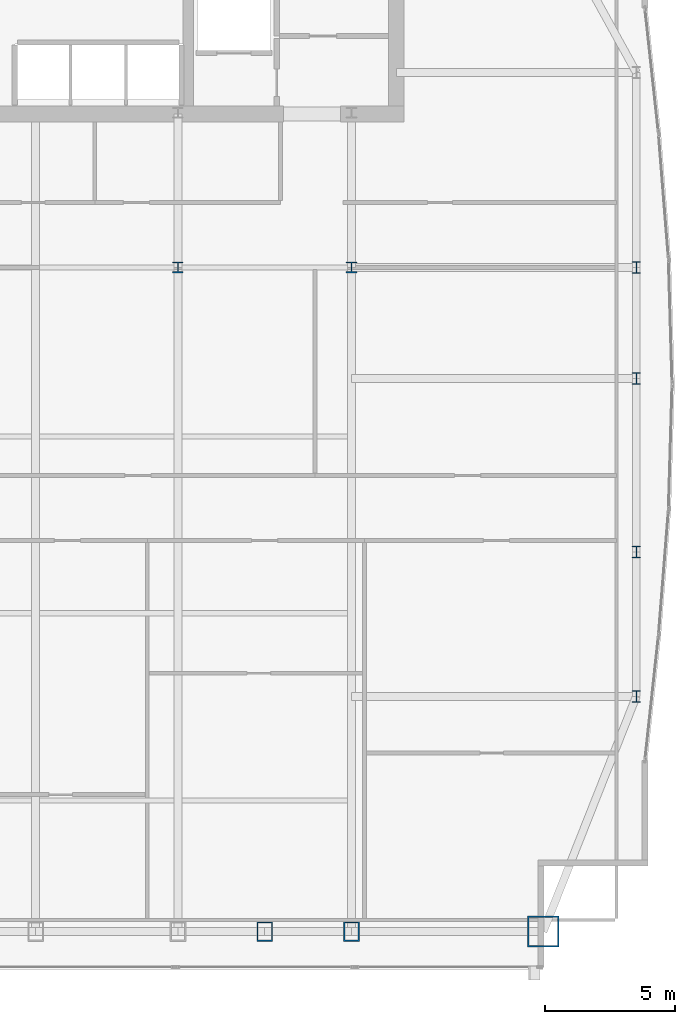
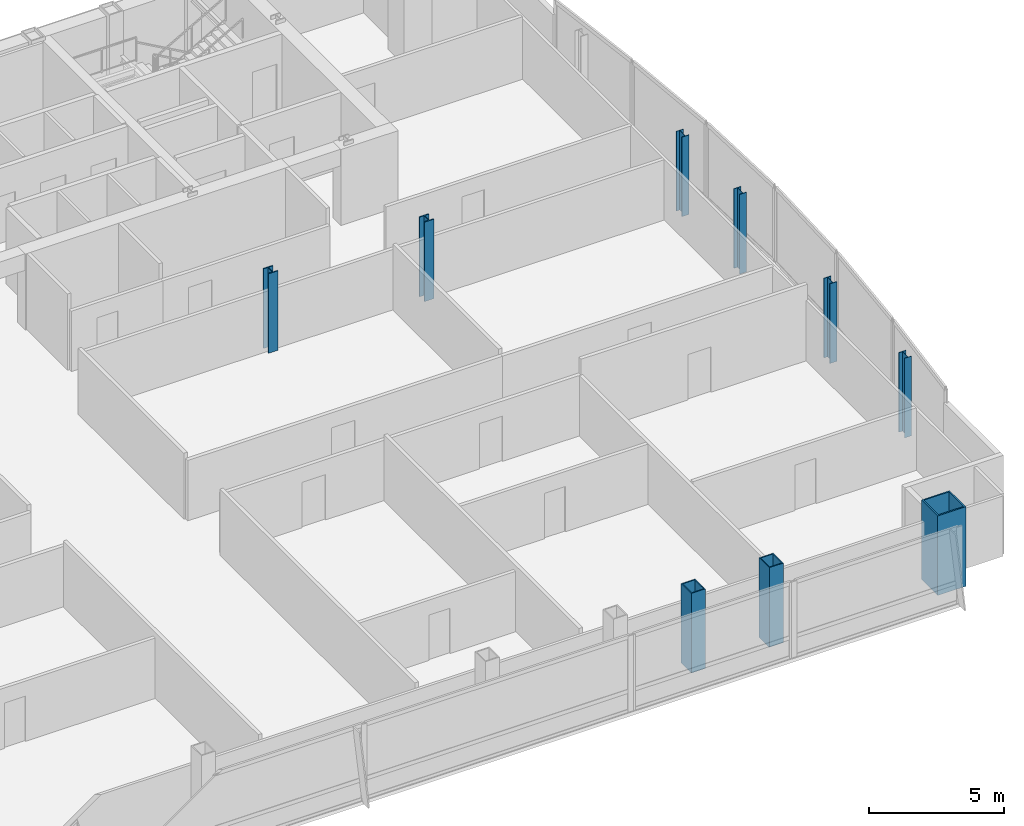
# One storey, part 2 of 32: 9 columns.
"""IFC4 building model written with IfcOpenShell, lengths in metres."""

from ifc_helpers import new_model, si_unit, direction, frame, origin, origin_2d, place, context, subcontext, project, spatial, hollow_rectangle, i_section, extrude, material, material_profile, profile_set, type_object, element, save


model = new_model("IFC4")

# Units and contexts
model_context = context("Model", 3, precision=1e-05, world=origin(), true_north=direction((0.0, 1.0)))
body_context = subcontext(model_context, "Body", "Model", "MODEL_VIEW")
ifc_project = project(units=[si_unit("LENGTHUNIT", "METRE"), si_unit("AREAUNIT", "SQUARE_METRE"), si_unit("VOLUMEUNIT", "CUBIC_METRE"), si_unit("PLANEANGLEUNIT", "RADIAN"), si_unit("MASSUNIT", "GRAM", prefix="KILO")], contexts=[model_context])

# Site, building, storey
site_placement = place(None, origin())
site = spatial("IfcSite", under=ifc_project, at=site_placement, CompositionType="ELEMENT")
building_placement = place(site_placement, origin())
building = spatial("IfcBuilding", under=site, at=building_placement, Name="Khoronbel Lancet Exchange", CompositionType="ELEMENT")
storey_placement = place(building_placement, frame((0.0, 0.0, 192.199951171875)))
storey = spatial("IfcBuildingStorey", under=building, at=storey_placement, Name="L48", CompositionType="ELEMENT", Elevation=192.199951171875)

# Columns
ifc_material_1 = material(Name="Steel S460", Category="steel")
ifc_material_profile_1 = material_profile(ifc_material_1, hollow_rectangle(XDim=0.60009765625, YDim=0.75, WallThickness=0.044921875, at=origin_2d()), Name="BOX 750x600x45")
ifc_profile_set_1 = profile_set([ifc_material_profile_1], Name="Steel S460")
column_type_1 = type_object("IfcColumnType", Name="COL-EC3", PredefinedType="COLUMN", material=ifc_profile_set_1)
for number, where, z_axis, x_axis, name in (
    (1, (51.33740234375, 10.14990234375, 0.0), (0.0, 0.0, 1.0), (1.0, 0.0, 0.0), "Structural column SC-EM L48"),
    (2, (54.675048828125, 10.14990234375, 0.0), (0.0, 0.0, 1.0), (1.0, 0.0, 0.0), "Structural column SC-E2 L48"),
):
    element("IfcColumn", number, at=place(storey_placement, frame(where, z_axis=z_axis, x_axis=x_axis)), inside=storey, type_object=column_type_1, Name=name, PredefinedType="COLUMN", context=body_context, shape_type="SweptSolid", body=[
        extrude(hollow_rectangle(XDim=0.60009765625, YDim=0.75, WallThickness=0.044921875, at=origin_2d()), origin(), (0.0, 0.0, 1.0), 3.60009765625),
    ])
ifc_material_2 = material(Name="Steel S355", Category="steel")
ifc_material_profile_2 = material_profile(ifc_material_2, i_section(OverallWidth=0.406005859375, OverallDepth=0.416015625, WebThickness=0.02978515625, FlangeThickness=0.048095703125, at=origin_2d()), Name="HD 400x382")
ifc_profile_set_2 = profile_set([ifc_material_profile_2], Name="Steel S355")
column_type_2 = type_object("IfcColumnType", Name="COL-IC3", PredefinedType="COLUMN", material=ifc_profile_set_2)
for number, where, z_axis, x_axis, name in (
    (3, (48.0, 35.699951171875, 0.0), (0.0, 0.0, 1.0), (1.0, 0.0, 0.0), "Spine gravity column TC3 L48"),
    (4, (54.675048828125, 35.699951171875, 0.0), (0.0, 0.0, 1.0), (1.0, 0.0, 0.0), "Spine gravity column TC4 L48"),
):
    element("IfcColumn", number, at=place(storey_placement, frame(where, z_axis=z_axis, x_axis=x_axis)), inside=storey, type_object=column_type_2, Name=name, PredefinedType="COLUMN", context=body_context, shape_type="SweptSolid", body=[
        extrude(i_section(OverallWidth=0.406005859375, OverallDepth=0.416015625, WebThickness=0.02978515625, FlangeThickness=0.048095703125, at=origin_2d()), origin(), (0.0, 0.0, 1.0), 3.60009765625),
    ])
ifc_material_profile_3 = material_profile(ifc_material_2, i_section(OverallWidth=0.300048828125, OverallDepth=0.449951171875, WebThickness=0.013916015625, FlangeThickness=0.02587890625, at=origin_2d()), Name="HEB 450")
ifc_profile_set_3 = profile_set([ifc_material_profile_3], Name="Steel S355")
column_type_3 = type_object("IfcColumnType", Name="COL-LC2", PredefinedType="COLUMN", material=ifc_profile_set_3)
for number, where, z_axis, x_axis, name in (
    (5, (65.6298828125, 19.199951171875, 0.0), (0.0, 0.0, 1.0), (1.0, 0.0, 0.0), "Structural column EC-1 L48"),
    (6, (65.6298828125, 24.75, 0.0), (0.0, 0.0, 1.0), (1.0, 0.0, 0.0), "Structural column EC-2 L48"),
    (7, (65.6298828125, 31.425048828125, 0.0), (0.0, 0.0, 1.0), (1.0, 0.0, 0.0), "Structural column EC-M L48"),
    (8, (65.6298828125, 35.699951171875, 0.0), (0.0, 0.0, 1.0), (1.0, 0.0, 0.0), "Structural column EC-3 L48"),
):
    element("IfcColumn", number, at=place(storey_placement, frame(where, z_axis=z_axis, x_axis=x_axis)), inside=storey, type_object=column_type_3, Name=name, PredefinedType="COLUMN", context=body_context, shape_type="SweptSolid", body=[
        extrude(i_section(OverallWidth=0.300048828125, OverallDepth=0.449951171875, WebThickness=0.013916015625, FlangeThickness=0.02587890625, at=origin_2d()), origin(), (0.0, 0.0, 1.0), 3.60009765625),
    ])
ifc_material_profile_4 = material_profile(ifc_material_1, hollow_rectangle(XDim=1.199951171875, YDim=1.199951171875, WallThickness=0.06005859375, at=origin_2d()), Name="BOX 1200x1200x60")
ifc_profile_set_4 = profile_set([ifc_material_profile_4], Name="Steel S460")
column_type_4 = type_object("IfcColumnType", Name="COL-MC5", PredefinedType="COLUMN", material=ifc_profile_set_4)
column_placement = place(storey_placement, frame((62.050048828125, 10.14990234375, 0.0), z_axis=(0.0, 0.0, 1.0), x_axis=(1.0, 0.0, 0.0)))
element("IfcColumn", 9, at=column_placement, inside=storey, type_object=column_type_4, Name="Structural column MC-SE L48", PredefinedType="COLUMN", context=body_context, shape_type="SweptSolid", body=[
    extrude(hollow_rectangle(XDim=1.199951171875, YDim=1.199951171875, WallThickness=0.06005859375, at=origin_2d()), origin(), (0.0, 0.0, 1.0), 3.60009765625),
])

save(model, "model.ifc")
